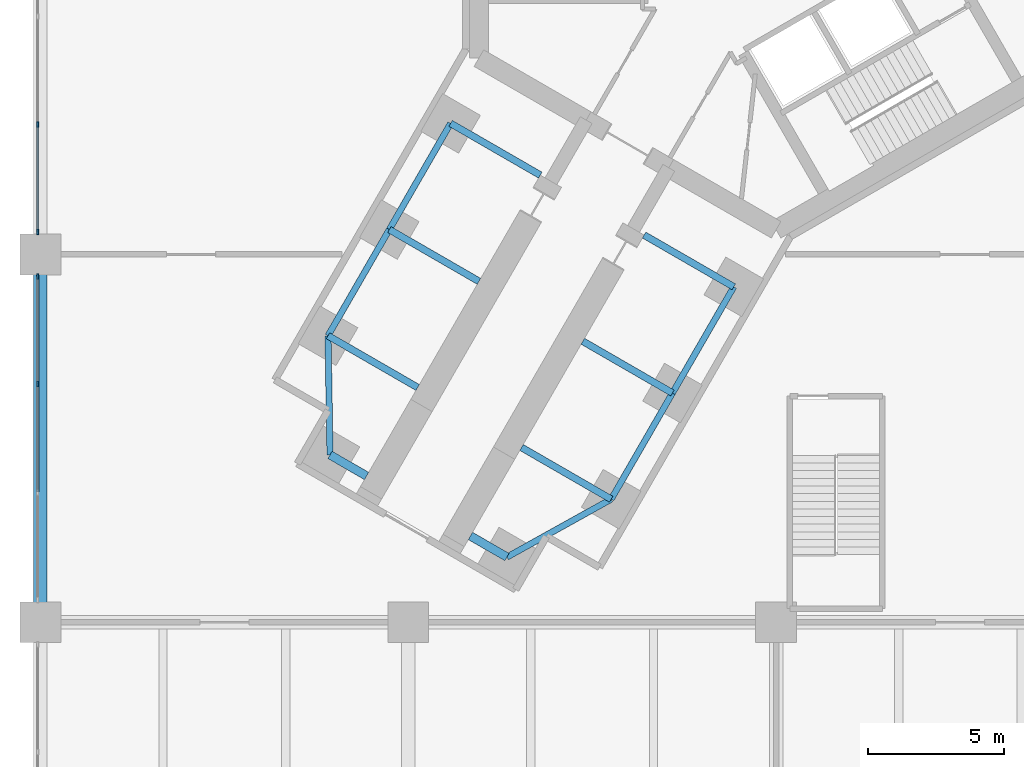
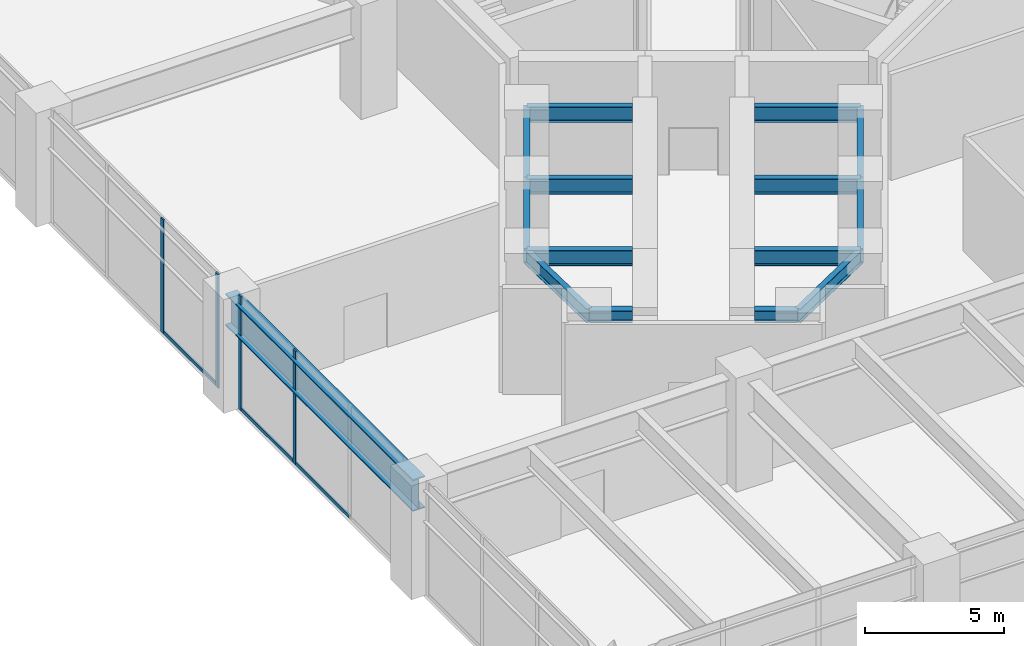
# One storey, part 3 of 32: 15 beams, 7 members, 2 elements without a shape of their own.
"""IFC4 building model written with IfcOpenShell, lengths in metres."""

from ifc_helpers import new_model, si_unit, direction, frame, origin, origin_2d, place, context, subcontext, project, spatial, rectangle, i_section, extrude, material, material_profile, profile_set, type_object, element, aggregate, save


model = new_model("IFC4")

# Units and contexts
model_context = context("Model", 3, precision=1e-05, world=origin(), true_north=direction((0.0, 1.0)))
body_context = subcontext(model_context, "Body", "Model", "MODEL_VIEW")
ifc_project = project(units=[si_unit("LENGTHUNIT", "METRE"), si_unit("AREAUNIT", "SQUARE_METRE"), si_unit("VOLUMEUNIT", "CUBIC_METRE"), si_unit("PLANEANGLEUNIT", "RADIAN"), si_unit("MASSUNIT", "GRAM", prefix="KILO")], contexts=[model_context])

# Site, building, storey
site_placement = place(None, origin())
site = spatial("IfcSite", under=ifc_project, at=site_placement, CompositionType="ELEMENT")
building_placement = place(site_placement, origin())
building = spatial("IfcBuilding", under=site, at=building_placement, Name="Upepo Twin Towers", CompositionType="ELEMENT")
storey_placement = place(building_placement, frame((0.0, 0.0, 10.5)))
storey = spatial("IfcBuildingStorey", under=building, at=storey_placement, Name="L02", CompositionType="ELEMENT", Elevation=10.5)

# Beams
ifc_material_1 = material(Name="Steel S355", Category="steel")
ifc_material_profile_1 = material_profile(ifc_material_1, i_section(OverallWidth=0.5, OverallDepth=1.39990234375, WebThickness=0.02490234375, FlangeThickness=0.050048828125, FilletRadius=0.008056640625, at=origin_2d()), Name="PG 1400x500x25x50")
ifc_profile_set_1 = profile_set([ifc_material_profile_1], Name="Steel S355")
beam_type_1 = type_object("IfcBeamType", Name="Beam PG 1400x500x25x50", PredefinedType="BEAM", material=ifc_profile_set_1)
beam_1_placement = place(storey_placement, frame((-27.0, -27.0, 3.949951171875), z_axis=(0.0, 1.0, 0.0), x_axis=(-1.0, 0.0, 0.0)))
element("IfcBeam", 1, at=beam_1_placement, inside=storey, type_object=beam_type_1, Name="Podium girder 1/B-C", PredefinedType="BEAM", context=body_context, shape_type="SweptSolid", body=[
    extrude(i_section(OverallWidth=0.5, OverallDepth=1.39990234375, WebThickness=0.02490234375, FlangeThickness=0.050048828125, FilletRadius=0.008056640625, at=origin_2d()), origin(), (0.0, 0.0, 1.0), 13.5),
])
ifc_material_2 = material(Name="Steel S355", Category="steel")
ifc_material_profile_2 = material_profile(ifc_material_2, i_section(OverallWidth=0.31201171875, OverallDepth=0.54345703125, WebThickness=0.0126953125, FlangeThickness=0.020263671875, FilletRadius=0.0126953125, at=origin_2d()), Name="UB 533x312x150")
ifc_profile_set_2 = profile_set([ifc_material_profile_2], Name="Steel S355")
beam_type_2 = type_object("IfcBeamType", Name="Beam UB 533x312x150", PredefinedType="BEAM", material=ifc_profile_set_2)
for number, where, z_axis, x_axis, name in (
    (2, (-9.87744140625, -24.608154296875, 4.378173828125), (-0.866043940782, 0.499967891604, 0.0), (-0.499967891604, -0.866043940782, 0.0), "T1 nose beam CL"),
    (3, (-16.37255859375, -20.858154296875, 4.378173828125), (0.866043940782, -0.499967891604, 0.0), (0.499967891604, 0.866043940782, 0.0), "T1 nose beam CR"),
):
    element("IfcBeam", number, at=place(storey_placement, frame(where, z_axis=z_axis, x_axis=x_axis)), inside=storey, type_object=beam_type_2, Name=name, PredefinedType="BEAM", context=body_context, shape_type="SweptSolid", body=[
        extrude(i_section(OverallWidth=0.31201171875, OverallDepth=0.54345703125, WebThickness=0.0126953125, FlangeThickness=0.020263671875, FilletRadius=0.0126953125, at=origin_2d()), origin(), (0.0, 0.0, 1.0), 1.5498046875),
    ])
ifc_material_3 = material(Name="Steel S355", Category="steel")
ifc_material_profile_3 = material_profile(ifc_material_3, i_section(OverallWidth=0.228271484375, OverallDepth=0.607666015625, WebThickness=0.010986328125, FlangeThickness=0.017333984375, FilletRadius=0.0126953125, at=origin_2d()), Name="UB 610x229x113")
ifc_profile_set_3 = profile_set([ifc_material_profile_3], Name="Steel S355")
beam_type_3 = type_object("IfcBeamType", Name="Beam UB 610x229x113", PredefinedType="BEAM", material=ifc_profile_set_3)
beam_2_placement = place(storey_placement, frame((-1.553955078125, -14.69140625, 4.34619140625), z_axis=(-0.500013631625, -0.866017533419, 0.0), x_axis=(0.866017533419, -0.500013631625, 0.0)))
element("IfcBeam", 4, at=beam_2_placement, inside=storey, type_object=beam_type_3, Name="T1 edge beam CL 13.5-18.0", PredefinedType="BEAM", context=body_context, shape_type="SweptSolid", body=[
    extrude(i_section(OverallWidth=0.228271484375, OverallDepth=0.607666015625, WebThickness=0.010986328125, FlangeThickness=0.017333984375, FilletRadius=0.0126953125, at=origin_2d()), origin(), (0.0, 0.0, 1.0), 4.499755859375),
])
beam_3_placement = place(storey_placement, frame((-3.803955078125, -18.58837890625, 4.34619140625), z_axis=(-0.499990139034, -0.866031096941, 0.0), x_axis=(0.866031096941, -0.499990139034, 0.0)))
element("IfcBeam", 5, at=beam_3_placement, inside=storey, type_object=beam_type_3, Name="T1 edge beam CL 18.0-22.5", PredefinedType="BEAM", context=body_context, shape_type="SweptSolid", body=[
    extrude(i_section(OverallWidth=0.228271484375, OverallDepth=0.607666015625, WebThickness=0.010986328125, FlangeThickness=0.017333984375, FilletRadius=0.0126953125, at=origin_2d()), origin(), (0.0, 0.0, 1.0), 4.5),
])
beam_4_placement = place(storey_placement, frame((-6.053955078125, -22.485595703125, 4.34619140625), z_axis=(-0.874312600038, -0.485363242752, 0.0), x_axis=(0.485363242752, -0.874312600038, 0.0)))
element("IfcBeam", 6, at=beam_4_placement, inside=storey, type_object=beam_type_3, Name="T1 nose edge beam CL", PredefinedType="BEAM", context=body_context, shape_type="SweptSolid", body=[
    extrude(i_section(OverallWidth=0.228271484375, OverallDepth=0.607666015625, WebThickness=0.010986328125, FlangeThickness=0.017333984375, FilletRadius=0.0126953125, at=origin_2d()), origin(), (0.0, 0.0, 1.0), 4.373046875),
])
beam_5_placement = place(storey_placement, frame((-11.946044921875, -8.69140625, 4.34619140625), z_axis=(-0.500013631625, -0.866017533419, 0.0), x_axis=(0.866017533419, -0.500013631625, 0.0)))
element("IfcBeam", 7, at=beam_5_placement, inside=storey, type_object=beam_type_3, Name="T1 edge beam CR 13.5-18.0", PredefinedType="BEAM", context=body_context, shape_type="SweptSolid", body=[
    extrude(i_section(OverallWidth=0.228271484375, OverallDepth=0.607666015625, WebThickness=0.010986328125, FlangeThickness=0.017333984375, FilletRadius=0.0126953125, at=origin_2d()), origin(), (0.0, 0.0, 1.0), 4.499755859375),
])
beam_6_placement = place(storey_placement, frame((-14.196044921875, -12.58837890625, 4.34619140625), z_axis=(-0.499990139034, -0.866031096941, 0.0), x_axis=(0.866031096941, -0.499990139034, 0.0)))
element("IfcBeam", 8, at=beam_6_placement, inside=storey, type_object=beam_type_3, Name="T1 edge beam CR 18.0-22.5", PredefinedType="BEAM", context=body_context, shape_type="SweptSolid", body=[
    extrude(i_section(OverallWidth=0.228271484375, OverallDepth=0.607666015625, WebThickness=0.010986328125, FlangeThickness=0.017333984375, FilletRadius=0.0126953125, at=origin_2d()), origin(), (0.0, 0.0, 1.0), 4.5),
])
beam_7_placement = place(storey_placement, frame((-16.446044921875, -16.485595703125, 4.34619140625), z_axis=(0.016803880528, -0.999858804832, 0.0), x_axis=(0.999858804832, 0.016803880528, 0.0)))
element("IfcBeam", 9, at=beam_7_placement, inside=storey, type_object=beam_type_3, Name="T1 nose edge beam CR", PredefinedType="BEAM", context=body_context, shape_type="SweptSolid", body=[
    extrude(i_section(OverallWidth=0.228271484375, OverallDepth=0.607666015625, WebThickness=0.010986328125, FlangeThickness=0.017333984375, FilletRadius=0.0126953125, at=origin_2d()), origin(), (0.0, 0.0, 1.0), 4.373291015625),
])
ifc_material_4 = material(Name="Steel S355", Category="steel")
ifc_material_profile_4 = material_profile(ifc_material_4, i_section(OverallWidth=0.253662109375, OverallDepth=0.68359375, WebThickness=0.012451171875, FlangeThickness=0.01904296875, FilletRadius=0.01513671875, at=origin_2d()), Name="UB 686x254x140")
ifc_profile_set_4 = profile_set([ifc_material_profile_4], Name="Steel S355")
beam_type_4 = type_object("IfcBeamType", Name="Beam UB 686x254x140", PredefinedType="BEAM", material=ifc_profile_set_4)
beam_8_placement = place(storey_placement, frame((-1.553955078125, -14.69140625, 4.308349609375), z_axis=(-0.866000483506, 0.500043160704, 0.0), x_axis=(-0.500043160704, -0.866000483506, 0.0)))
element("IfcBeam", 10, at=beam_8_placement, inside=storey, type_object=beam_type_4, Name="T1 girder CL at 13.5", PredefinedType="BEAM", context=body_context, shape_type="SweptSolid", body=[
    extrude(i_section(OverallWidth=0.253662109375, OverallDepth=0.68359375, WebThickness=0.012451171875, FlangeThickness=0.01904296875, FilletRadius=0.01513671875, at=origin_2d()), origin(), (0.0, 0.0, 1.0), 3.800048828125),
])
for number, where, z_axis, x_axis, name in (
    (11, (-3.803955078125, -18.58837890625, 4.308349609375), (-0.866028304915, 0.499994975061, 0.0), (-0.499994975061, -0.866028304915, 0.0), "T1 girder CL at 18.0"),
    (12, (-6.053955078125, -22.485595703125, 4.308349609375), (-0.866028304915, 0.499994975061, 0.0), (-0.499994975061, -0.866028304915, 0.0), "T1 girder CL at 22.5"),
    (13, (-11.946044921875, -8.69140625, 4.308349609375), (0.866028304915, -0.499994975061, 0.0), (0.499994975061, 0.866028304915, 0.0), "T1 girder CR at 13.5"),
):
    element("IfcBeam", number, at=place(storey_placement, frame(where, z_axis=z_axis, x_axis=x_axis)), inside=storey, type_object=beam_type_4, Name=name, PredefinedType="BEAM", context=body_context, shape_type="SweptSolid", body=[
        extrude(i_section(OverallWidth=0.253662109375, OverallDepth=0.68359375, WebThickness=0.012451171875, FlangeThickness=0.01904296875, FilletRadius=0.01513671875, at=origin_2d()), origin(), (0.0, 0.0, 1.0), 3.7998046875),
    ])
beam_9_placement = place(storey_placement, frame((-14.196044921875, -12.58837890625, 4.308349609375), z_axis=(0.866000483506, -0.500043160704, 0.0), x_axis=(0.500043160704, 0.866000483506, 0.0)))
element("IfcBeam", 14, at=beam_9_placement, inside=storey, type_object=beam_type_4, Name="T1 girder CR at 18.0", PredefinedType="BEAM", context=body_context, shape_type="SweptSolid", body=[
    extrude(i_section(OverallWidth=0.253662109375, OverallDepth=0.68359375, WebThickness=0.012451171875, FlangeThickness=0.01904296875, FilletRadius=0.01513671875, at=origin_2d()), origin(), (0.0, 0.0, 1.0), 3.800048828125),
])
beam_10_placement = place(storey_placement, frame((-16.446044921875, -16.485595703125, 4.308349609375), z_axis=(0.866028304915, -0.499994975061, 0.0), x_axis=(0.499994975061, 0.866028304915, 0.0)))
element("IfcBeam", 15, at=beam_10_placement, inside=storey, type_object=beam_type_4, Name="T1 girder CR at 22.5", PredefinedType="BEAM", context=body_context, shape_type="SweptSolid", body=[
    extrude(i_section(OverallWidth=0.253662109375, OverallDepth=0.68359375, WebThickness=0.012451171875, FlangeThickness=0.01904296875, FilletRadius=0.01513671875, at=origin_2d()), origin(), (0.0, 0.0, 1.0), 3.7998046875),
])

# Curtain wall, members
ifc_material_5 = material(Name="Aluminium and clear glass", Category="aluminium")
curtain_wall_type = type_object("IfcCurtainWallType", Name="Podium curtain wall PW1", PredefinedType="NOTDEFINED", material=ifc_material_5)
curtain_wall_1_placement = place(storey_placement, origin())
curtain_wall_1 = element("IfcCurtainWall", 16, at=curtain_wall_1_placement, inside=storey, type_object=curtain_wall_type, Name="Podium L02 curtain wall W4", PredefinedType="NOTDEFINED")
ifc_material_6 = material(Name="Aluminium mullion", Category="aluminium")
ifc_material_profile_5 = material_profile(ifc_material_6, rectangle(XDim=0.06494140625, YDim=0.199951171875, at=origin_2d()), Name="MULLION 65x200 PODIUM")
ifc_profile_set_5 = profile_set([ifc_material_profile_5], Name="Aluminium mullion")
member_type_1 = type_object("IfcMemberType", Name="Mullion 65x200 PW1", PredefinedType="MULLION", material=ifc_profile_set_5)
member_1_placement = place(storey_placement, frame((-27.10009765625, -8.73828125, 0.0), z_axis=(0.0, 0.0, 1.0), x_axis=(1.0, 0.0, 0.0)))
member_1 = element("IfcMember", 17, at=member_1_placement, type_object=member_type_1, Name="Podium L02 curtain wall W4 mullion 3", PredefinedType="MULLION", context=body_context, shape_type="SweptSolid", body=[
    extrude(rectangle(XDim=0.06494140625, YDim=0.199951171875, at=origin_2d()), origin(), (0.0, 0.0, 1.0), 5.0),
])
member_2_placement = place(storey_placement, frame((-27.10009765625, -12.6826171875, 0.0), z_axis=(0.0, 0.0, 1.0), x_axis=(1.0, 0.0, 0.0)))
member_2 = element("IfcMember", 18, at=member_2_placement, type_object=member_type_1, Name="Podium L02 curtain wall W4 mullion 4", PredefinedType="MULLION", context=body_context, shape_type="SweptSolid", body=[
    extrude(rectangle(XDim=0.06494140625, YDim=0.199951171875, at=origin_2d()), origin(), (0.0, 0.0, 1.0), 5.0),
])

curtain_wall_2_placement = place(storey_placement, origin())
curtain_wall_2 = element("IfcCurtainWall", 19, at=curtain_wall_2_placement, inside=storey, type_object=curtain_wall_type, Name="Podium L02 curtain wall W5", PredefinedType="NOTDEFINED")
member_3_placement = place(storey_placement, frame((-27.10009765625, -14.3173828125, 0.0), z_axis=(0.0, 0.0, 1.0), x_axis=(1.0, 0.0, 0.0)))
member_3 = element("IfcMember", 20, at=member_3_placement, type_object=member_type_1, Name="Podium L02 curtain wall W5 mullion 1", PredefinedType="MULLION", context=body_context, shape_type="SweptSolid", body=[
    extrude(rectangle(XDim=0.06494140625, YDim=0.199951171875, at=origin_2d()), origin(), (0.0, 0.0, 1.0), 5.0),
])
member_4_placement = place(storey_placement, frame((-27.10009765625, -18.26171875, 0.0), z_axis=(0.0, 0.0, 1.0), x_axis=(1.0, 0.0, 0.0)))
member_4 = element("IfcMember", 21, at=member_4_placement, type_object=member_type_1, Name="Podium L02 curtain wall W5 mullion 2", PredefinedType="MULLION", context=body_context, shape_type="SweptSolid", body=[
    extrude(rectangle(XDim=0.06494140625, YDim=0.199951171875, at=origin_2d()), origin(), (0.0, 0.0, 1.0), 5.0),
])

# Member
ifc_material_7 = material(Name="Aluminium transom", Category="aluminium")
ifc_material_profile_6 = material_profile(ifc_material_7, rectangle(XDim=0.06494140625, YDim=0.14990234375, at=origin_2d()), Name="TRANSOM 65x150 PODIUM")
ifc_profile_set_6 = profile_set([ifc_material_profile_6], Name="Aluminium transom")
member_type_2 = type_object("IfcMemberType", Name="Transom 65x150 PW1", PredefinedType="USERDEFINED", material=ifc_profile_set_6)
member_5_placement = place(storey_placement, frame((-27.10009765625, -8.770751953125, 0.074951171875), z_axis=(0.0, -1.0, 0.0), x_axis=(1.0, 0.0, 0.0)))
member_5 = element("IfcMember", 22, at=member_5_placement, type_object=member_type_2, Name="Podium L02 curtain wall W4 transom 3", ObjectType="TRANSOM", PredefinedType="USERDEFINED", context=body_context, shape_type="SweptSolid", body=[
    extrude(rectangle(XDim=0.06494140625, YDim=0.14990234375, at=origin_2d()), origin(), (0.0, 0.0, 1.0), 3.879150390625),
])

aggregate(curtain_wall_1, [member_1, member_2, member_5])

member_6_placement = place(storey_placement, frame((-27.10009765625, -14.35009765625, 0.074951171875), z_axis=(0.0, -1.0, 0.0), x_axis=(1.0, 0.0, 0.0)))
member_6 = element("IfcMember", 23, at=member_6_placement, type_object=member_type_2, Name="Podium L02 curtain wall W5 transom 1", ObjectType="TRANSOM", PredefinedType="USERDEFINED", context=body_context, shape_type="SweptSolid", body=[
    extrude(rectangle(XDim=0.06494140625, YDim=0.14990234375, at=origin_2d()), origin(), (0.0, 0.0, 1.0), 3.879150390625),
])

member_7_placement = place(storey_placement, frame((-27.10009765625, -18.294189453125, 0.074951171875), z_axis=(0.0, -1.0, 0.0), x_axis=(1.0, 0.0, 0.0)))
member_7 = element("IfcMember", 24, at=member_7_placement, type_object=member_type_2, Name="Podium L02 curtain wall W5 transom 2", ObjectType="TRANSOM", PredefinedType="USERDEFINED", context=body_context, shape_type="SweptSolid", body=[
    extrude(rectangle(XDim=0.06494140625, YDim=0.14990234375, at=origin_2d()), origin(), (0.0, 0.0, 1.0), 3.91162109375),
])

aggregate(curtain_wall_2, [member_3, member_4, member_6, member_7])

save(model, "model.ifc")
